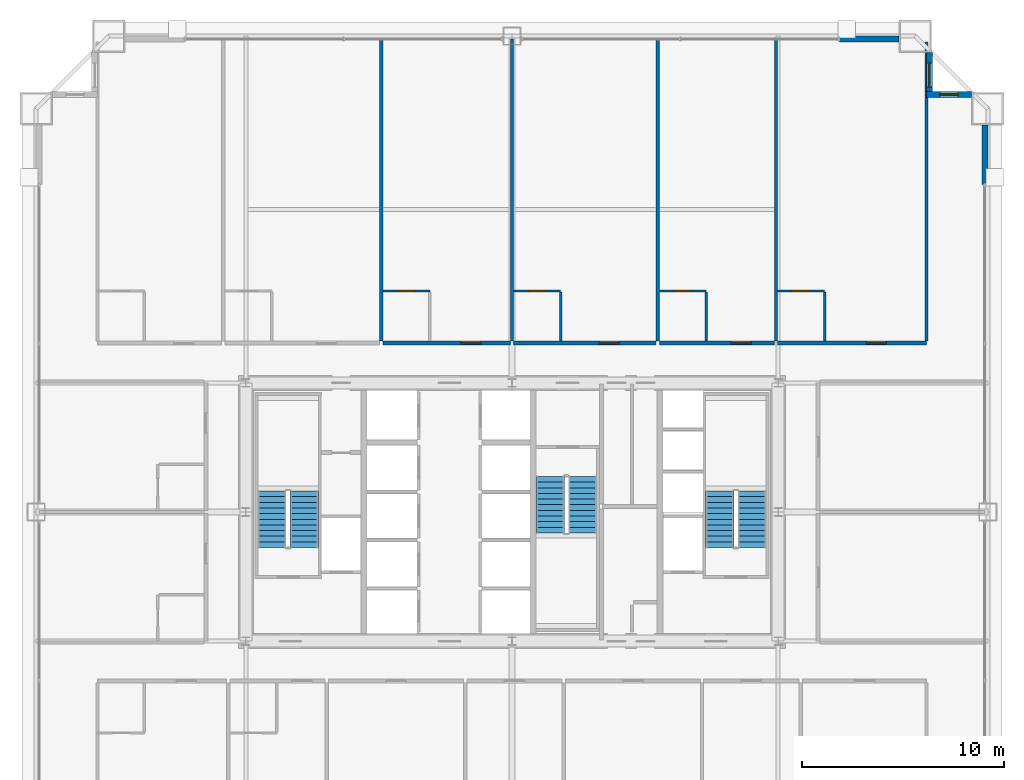
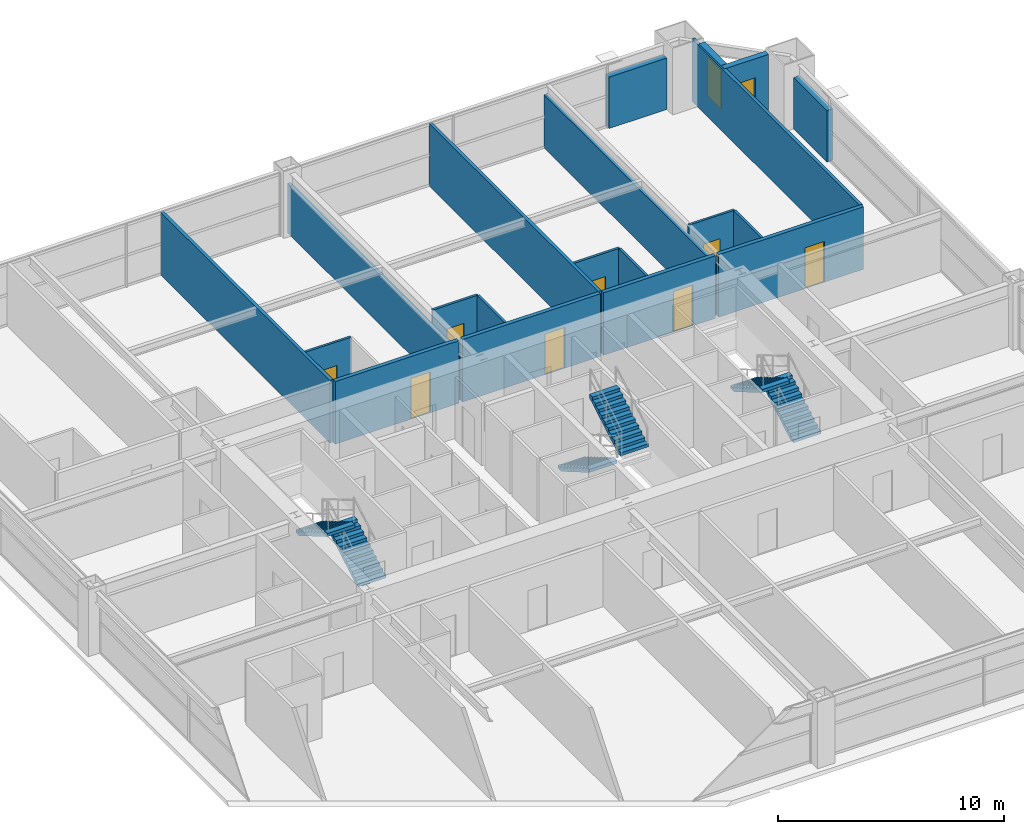
# One storey, part 38 of 39: 20 walls, 8 doors, 6 stair flights, 2 windows, 10 openings, 3 elements without a shape of their own.
"""IFC4 building model written with IfcOpenShell, lengths in metres."""

from ifc_helpers import new_model, si_unit, direction, frame, frame_2d, origin, place, context, subcontext, project, spatial, polyline, rectangle, outline, extrude, source, transform, mapped, material, layer, layer_set, type_object, element, fill, aggregate, save


model = new_model("IFC4")

# Units and contexts
model_context = context("Model", 3, precision=1e-05, world=origin(), true_north=direction((0.0, 1.0)))
body_context = subcontext(model_context, "Body", "Model", "MODEL_VIEW")
ifc_project = project(units=[si_unit("LENGTHUNIT", "METRE"), si_unit("AREAUNIT", "SQUARE_METRE"), si_unit("VOLUMEUNIT", "CUBIC_METRE"), si_unit("PLANEANGLEUNIT", "RADIAN"), si_unit("MASSUNIT", "GRAM", prefix="KILO"), si_unit("THERMODYNAMICTEMPERATUREUNIT", "KELVIN"), si_unit("POWERUNIT", "WATT")], contexts=[model_context])

# Site, building, storey
site_placement = place(None, origin())
site = spatial("IfcSite", under=ifc_project, at=site_placement, CompositionType="ELEMENT")
building_placement = place(site_placement, origin())
building = spatial("IfcBuilding", under=site, at=building_placement, Name="Yuzanri Waterfront Tower", CompositionType="ELEMENT")
storey_placement = place(building_placement, frame((0.0, 0.0, 156.0)))
storey = spatial("IfcBuildingStorey", under=building, at=storey_placement, Name="L41", CompositionType="ELEMENT", Elevation=156.0)

# Wall, opening, door
ifc_material_1 = material(Name="Moisture-Resistant Gypsum Stud Wall", Category="gypsum")
ifc_layer_1 = layer(ifc_material_1, 0.1201171875)
ifc_layer_set_1 = layer_set([ifc_layer_1], Name="Moisture-Resistant Gypsum Stud Wall")
wall_type_1 = type_object("IfcWallType", Name="Bathroom and Kitchen Wet Partition 120", PredefinedType="PARTITIONING", material=ifc_layer_set_1)
wall_1_placement = place(storey_placement, frame((30.596923828125, 36.760009765625, 0.0), z_axis=(0.0, 0.0, 1.0), x_axis=(1.0, 0.0, 0.0)))
wall_1 = element("IfcWall", 1, at=wall_1_placement, inside=storey, type_object=wall_type_1, Name="L41 Partition UW-L41-N3-BN", PredefinedType="PARTITIONING", context=body_context, shape_type="SweptSolid", body=[
    extrude(rectangle(XDim=2.330078125, YDim=0.1201171875, at=frame_2d((1.1650390625, 0.0))), origin(), (0.0, 0.0, 1.0), 3.3798828125),
])
opening_1_placement = place(wall_1_placement, frame((0.739990234375, 0.0, 0.0)))
opening_1 = element("IfcOpeningElement", 2, at=opening_1_placement, cuts=wall_1, Name="Opening ID-0850", PredefinedType="OPENING", context=body_context, shape_type="SweptSolid", body=[
    extrude(rectangle(XDim=0.85009765625, YDim=2.10009765625, at=frame_2d((0.425048828125, 1.050048828125))), frame((0.0, 0.074951171875, 0.0), z_axis=(0.0, -1.0, 0.0), x_axis=(1.0, 0.0, 0.0)), (0.0, 0.0, 1.0), 0.14990234375),
])
ifc_material_2 = material(Name="Moisture-Resistant Lacquered Timber", Category="wood")
door_type_1 = type_object("IfcDoorType", Name="En-Suite Bathroom and Kitchen Swing Door 850x2100", OperationType="NOTDEFINED", PredefinedType="DOOR", material=ifc_material_2)
shared_shape_1 = source(origin(), body_context, "Body", "SweptSolid", [
    extrude(rectangle(XDim=0.85009765625, YDim=2.10009765625, at=frame_2d((0.425048828125, 1.050048828125))), frame((0.0, 0.02490234375, 0.0), z_axis=(0.0, -1.0, 0.0), x_axis=(1.0, 0.0, 0.0)), (0.0, 0.0, 1.0), 0.050048828125),
])
door_1_placement = place(opening_1_placement, origin())
door_1 = element("IfcDoor", 3, at=door_1_placement, inside=storey, type_object=door_type_1, Name="L41 Guest En-Suite Door", OperationType="SINGLE_SWING_LEFT", OverallHeight=2.10009765625, OverallWidth=0.85009765625, PredefinedType="DOOR", context=body_context, shape_type="MappedRepresentation", body=[
    mapped(shared_shape_1, transform((0.0, 0.0, 0.0), scale=1.0)),
])
fill(opening_1, door_1)

wall_2_placement = place(storey_placement, frame((37.080078125, 36.760009765625, 0.0), z_axis=(0.0, 0.0, 1.0), x_axis=(1.0, 0.0, 0.0)))
wall_2 = element("IfcWall", 4, at=wall_2_placement, inside=storey, type_object=wall_type_1, Name="L41 Partition UW-L41-N4-BN", PredefinedType="PARTITIONING", context=body_context, shape_type="SweptSolid", body=[
    extrude(rectangle(XDim=2.329833984375, YDim=0.1201171875, at=frame_2d((1.1650390625, 0.0))), origin(), (0.0, 0.0, 1.0), 3.3798828125),
])
opening_2_placement = place(wall_2_placement, frame((0.739990234375, 0.0, 0.0)))
opening_2 = element("IfcOpeningElement", 5, at=opening_2_placement, cuts=wall_2, Name="Opening ID-0850", PredefinedType="OPENING", context=body_context, shape_type="SweptSolid", body=[
    extrude(rectangle(XDim=0.85009765625, YDim=2.10009765625, at=frame_2d((0.425048828125, 1.050048828125))), frame((0.0, 0.074951171875, 0.0), z_axis=(0.0, -1.0, 0.0), x_axis=(1.0, 0.0, 0.0)), (0.0, 0.0, 1.0), 0.14990234375),
])
door_2_placement = place(opening_2_placement, origin())
door_2 = element("IfcDoor", 6, at=door_2_placement, inside=storey, type_object=door_type_1, Name="L41 Guest En-Suite Door", OperationType="SINGLE_SWING_LEFT", OverallHeight=2.10009765625, OverallWidth=0.85009765625, PredefinedType="DOOR", context=body_context, shape_type="MappedRepresentation", body=[
    mapped(shared_shape_1, transform((0.0, 0.0, 0.0), scale=1.0)),
])
fill(opening_2, door_2)

wall_3_placement = place(storey_placement, frame((44.302978515625, 36.760009765625, 0.0), z_axis=(0.0, 0.0, 1.0), x_axis=(1.0, 0.0, 0.0)))
wall_3 = element("IfcWall", 7, at=wall_3_placement, inside=storey, type_object=wall_type_1, Name="L41 Partition UW-L41-N5-BN", PredefinedType="PARTITIONING", context=body_context, shape_type="SweptSolid", body=[
    extrude(rectangle(XDim=2.330078125, YDim=0.1201171875, at=frame_2d((1.1650390625, 0.0))), origin(), (0.0, 0.0, 1.0), 3.3798828125),
])
opening_3_placement = place(wall_3_placement, frame((0.739990234375, 0.0, 0.0)))
opening_3 = element("IfcOpeningElement", 8, at=opening_3_placement, cuts=wall_3, Name="Opening ID-0850", PredefinedType="OPENING", context=body_context, shape_type="SweptSolid", body=[
    extrude(rectangle(XDim=0.85009765625, YDim=2.10009765625, at=frame_2d((0.425048828125, 1.050048828125))), frame((0.0, 0.074951171875, 0.0), z_axis=(0.0, -1.0, 0.0), x_axis=(1.0, 0.0, 0.0)), (0.0, 0.0, 1.0), 0.14990234375),
])
door_3_placement = place(opening_3_placement, origin())
door_3 = element("IfcDoor", 9, at=door_3_placement, inside=storey, type_object=door_type_1, Name="L41 Guest En-Suite Door", OperationType="SINGLE_SWING_LEFT", OverallHeight=2.10009765625, OverallWidth=0.85009765625, PredefinedType="DOOR", context=body_context, shape_type="MappedRepresentation", body=[
    mapped(shared_shape_1, transform((0.0, 0.0, 0.0), scale=1.0)),
])
fill(opening_3, door_3)

wall_4_placement = place(storey_placement, frame((50.169921875, 36.760009765625, 0.0), z_axis=(0.0, 0.0, 1.0), x_axis=(1.0, 0.0, 0.0)))
wall_4 = element("IfcWall", 10, at=wall_4_placement, inside=storey, type_object=wall_type_1, Name="L41 Partition UW-L41-N6-BN", PredefinedType="PARTITIONING", context=body_context, shape_type="SweptSolid", body=[
    extrude(rectangle(XDim=2.330078125, YDim=0.1201171875, at=frame_2d((1.1650390625, 0.0))), origin(), (0.0, 0.0, 1.0), 3.3798828125),
])
opening_4_placement = place(wall_4_placement, frame((0.739990234375, 0.0, 0.0)))
opening_4 = element("IfcOpeningElement", 11, at=opening_4_placement, cuts=wall_4, Name="Opening ID-0850", PredefinedType="OPENING", context=body_context, shape_type="SweptSolid", body=[
    extrude(rectangle(XDim=0.85009765625, YDim=2.10009765625, at=frame_2d((0.425048828125, 1.050048828125))), frame((0.0, 0.074951171875, 0.0), z_axis=(0.0, -1.0, 0.0), x_axis=(1.0, 0.0, 0.0)), (0.0, 0.0, 1.0), 0.14990234375),
])
door_4_placement = place(opening_4_placement, origin())
door_4 = element("IfcDoor", 12, at=door_4_placement, inside=storey, type_object=door_type_1, Name="L41 Guest En-Suite Door", OperationType="SINGLE_SWING_LEFT", OverallHeight=2.10009765625, OverallWidth=0.85009765625, PredefinedType="DOOR", context=body_context, shape_type="MappedRepresentation", body=[
    mapped(shared_shape_1, transform((0.0, 0.0, 0.0), scale=1.0)),
])
fill(opening_4, door_4)

# Wall, opening, window
ifc_material_3 = material(Name="Honed Chongqing Dark Basalt Stone", Category="masonry")
ifc_layer_2 = layer(ifc_material_3, 0.300048828125)
ifc_layer_set_2 = layer_set([ifc_layer_2], Name="Honed Chongqing Dark Basalt Stone")
wall_type_2 = type_object("IfcWallType", Name="Bronze Rainscreen Insulated Spandrel Portal Wall 300", PredefinedType="SOLIDWALL", material=ifc_layer_set_2)
wall_5_placement = place(storey_placement, frame((59.800048828125, 46.5, 0.0), z_axis=(0.0, 0.0, 1.0), x_axis=(-1.0, 0.0, 0.0)))
wall_5 = element("IfcWall", 13, at=wall_5_placement, inside=storey, type_object=wall_type_2, Name="L41 Notched Corner Masonry Wall NE-X", PredefinedType="SOLIDWALL", context=body_context, shape_type="SweptSolid", body=[
    extrude(rectangle(XDim=2.25, YDim=0.300048828125, at=frame_2d((1.125, 0.0))), origin(), (0.0, 0.0, 1.0), 3.3798828125),
])
opening_5_placement = place(wall_5_placement, frame((0.675048828125, 0.0, 0.85009765625)))
opening_5 = element("IfcOpeningElement", 14, at=opening_5_placement, cuts=wall_5, Name="Opening WN-05", PredefinedType="OPENING", context=body_context, shape_type="SweptSolid", body=[
    extrude(rectangle(XDim=0.89990234375, YDim=1.5, at=frame_2d((0.449951171875, 0.75))), frame((0.0, 0.1650390625, 0.0), z_axis=(0.0, -1.0, 0.0), x_axis=(1.0, 0.0, 0.0)), (0.0, 0.0, 1.0), 0.329833984375),
])
ifc_material_4 = material(Name="Double-Silver Low-E Insulated Glass", Category="glass")
window_type_1 = type_object("IfcWindowType", Name="Anodized Bronze Service and Stairwell Smoke-Vent Window 900x1500", PartitioningType="SINGLE_PANEL", PredefinedType="WINDOW", material=ifc_material_4)
shared_shape_2 = source(origin(), body_context, "Body", "SweptSolid", [
    extrude(rectangle(XDim=0.89990234375, YDim=1.5, at=frame_2d((0.449951171875, 0.75))), frame((0.0, 0.030029296875, 0.0), z_axis=(0.0, -1.0, 0.0), x_axis=(1.0, 0.0, 0.0)), (0.0, 0.0, 1.0), 0.06005859375),
])
window_1_placement = place(opening_5_placement, origin())
window_1 = element("IfcWindow", 15, at=window_1_placement, inside=storey, type_object=window_type_1, Name="L41 Notched Corner Window NE-X", OverallHeight=1.5, OverallWidth=0.89990234375, PartitioningType="SINGLE_PANEL", PredefinedType="WINDOW", context=body_context, shape_type="MappedRepresentation", body=[
    mapped(shared_shape_2, transform((0.0, 0.0, 0.0), scale=1.0)),
])
fill(opening_5, window_1)

wall_6_placement = place(storey_placement, frame((57.699951171875, 46.35009765625, 0.0), z_axis=(0.0, 0.0, 1.0), x_axis=(0.0, 1.0, 0.0)))
wall_6 = element("IfcWall", 16, at=wall_6_placement, inside=storey, type_object=wall_type_2, Name="L41 Notched Corner Masonry Wall NE-Y", PredefinedType="SOLIDWALL", context=body_context, shape_type="SweptSolid", body=[
    extrude(rectangle(XDim=2.25, YDim=0.300048828125, at=frame_2d((1.125, 0.0))), origin(), (0.0, 0.0, 1.0), 3.3798828125),
])
opening_6_placement = place(wall_6_placement, frame((0.52490234375, 0.0, 0.85009765625)))
opening_6 = element("IfcOpeningElement", 17, at=opening_6_placement, cuts=wall_6, Name="Opening WN-02", PredefinedType="OPENING", context=body_context, shape_type="SweptSolid", body=[
    extrude(rectangle(XDim=1.199951171875, YDim=2.10009765625, at=frame_2d((0.60009765625, 1.050048828125))), frame((0.0, 0.1650390625, 0.0), z_axis=(0.0, -1.0, 0.0), x_axis=(1.0, 0.0, 0.0)), (0.0, 0.0, 1.0), 0.329833984375),
])
ifc_material_5 = material(Name="Double-Silver Low-E Insulated Glass", Category="glass")
window_type_2 = type_object("IfcWindowType", Name="Anodized Bronze Notched Corner Deep-Set Slot Window 1200x2100", PartitioningType="SINGLE_PANEL", PredefinedType="WINDOW", material=ifc_material_5)
shared_shape_3 = source(origin(), body_context, "Body", "SweptSolid", [
    extrude(rectangle(XDim=1.199951171875, YDim=2.10009765625, at=frame_2d((0.60009765625, 1.050048828125))), frame((0.0, 0.030029296875, 0.0), z_axis=(0.0, -1.0, 0.0), x_axis=(1.0, 0.0, 0.0)), (0.0, 0.0, 1.0), 0.06005859375),
])
window_2_placement = place(opening_6_placement, origin())
window_2 = element("IfcWindow", 18, at=window_2_placement, inside=storey, type_object=window_type_2, Name="L41 Notched Corner Window NE-Y", OverallHeight=2.10009765625, OverallWidth=1.199951171875, PartitioningType="SINGLE_PANEL", PredefinedType="WINDOW", context=body_context, shape_type="MappedRepresentation", body=[
    mapped(shared_shape_3, transform((0.0, 0.0, 0.0), scale=1.0)),
])
fill(opening_6, window_2)

# Wall, opening, door
ifc_material_6 = material(Name="Autoclaved Aerated Concrete Blockwork", Category="masonry")
ifc_layer_3 = layer(ifc_material_6, 0.199951171875)
ifc_layer_set_3 = layer_set([ifc_layer_3], Name="Autoclaved Aerated Concrete Blockwork")
wall_type_3 = type_object("IfcWallType", Name="Corridor and Unit Party Fire Wall 200", PredefinedType="PARTITIONING", material=ifc_layer_set_3)
wall_7_placement = place(storey_placement, frame((30.596923828125, 34.179931640625, 0.0), z_axis=(0.0, 0.0, 1.0), x_axis=(1.0, 0.0, 0.0)))
wall_7 = element("IfcWall", 19, at=wall_7_placement, inside=storey, type_object=wall_type_3, Name="L41 Partition UW-L41-N3-CS", PredefinedType="PARTITIONING", context=body_context, shape_type="SweptSolid", body=[
    extrude(rectangle(XDim=6.322998046875, YDim=0.199951171875, at=frame_2d((3.16162109375, 0.0))), origin(), (0.0, 0.0, 1.0), 3.3798828125),
])
opening_7_placement = place(wall_7_placement, frame((3.865966796875, 0.0, 0.0)))
opening_7 = element("IfcOpeningElement", 20, at=opening_7_placement, cuts=wall_7, Name="Opening FD-1000", PredefinedType="OPENING", context=body_context, shape_type="SweptSolid", body=[
    extrude(rectangle(XDim=1.0, YDim=2.199951171875, at=frame_2d((0.5, 1.10009765625))), frame((0.0, 0.11474609375, 0.0), z_axis=(0.0, -1.0, 0.0), x_axis=(1.0, 0.0, 0.0)), (0.0, 0.0, 1.0), 0.229736328125),
])
ifc_material_7 = material(Name="Engineered Oak Fire-Rated Timber", Category="wood")
door_type_2 = type_object("IfcDoorType", Name="Guestroom and Apartment Entrance Fire Door 1000x2200", OperationType="NOTDEFINED", PredefinedType="DOOR", material=ifc_material_7)
shared_shape_4 = source(origin(), body_context, "Body", "SweptSolid", [
    extrude(rectangle(XDim=1.0, YDim=2.199951171875, at=frame_2d((0.5, 1.10009765625))), frame((0.0, 0.02490234375, 0.0), z_axis=(0.0, -1.0, 0.0), x_axis=(1.0, 0.0, 0.0)), (0.0, 0.0, 1.0), 0.050048828125),
])
door_5_placement = place(opening_7_placement, origin())
door_5 = element("IfcDoor", 21, at=door_5_placement, inside=storey, type_object=door_type_2, Name="L41 Deluxe Queen Junior Suite Entrance Door", OperationType="SINGLE_SWING_RIGHT", OverallHeight=2.199951171875, OverallWidth=1.0, PredefinedType="DOOR", context=body_context, shape_type="MappedRepresentation", body=[
    mapped(shared_shape_4, transform((0.0, 0.0, 0.0), scale=1.0)),
])
fill(opening_7, door_5)

wall_8_placement = place(storey_placement, frame((37.080078125, 34.179931640625, 0.0), z_axis=(0.0, 0.0, 1.0), x_axis=(1.0, 0.0, 0.0)))
wall_8 = element("IfcWall", 22, at=wall_8_placement, inside=storey, type_object=wall_type_3, Name="L41 Partition UW-L41-N4-CS", PredefinedType="PARTITIONING", context=body_context, shape_type="SweptSolid", body=[
    extrude(rectangle(XDim=7.06298828125, YDim=0.199951171875, at=frame_2d((3.531494140625, 0.0))), origin(), (0.0, 0.0, 1.0), 3.3798828125),
])
opening_8_placement = place(wall_8_placement, frame((4.236083984375, 0.0, 0.0)))
opening_8 = element("IfcOpeningElement", 23, at=opening_8_placement, cuts=wall_8, Name="Opening FD-1000", PredefinedType="OPENING", context=body_context, shape_type="SweptSolid", body=[
    extrude(rectangle(XDim=1.0, YDim=2.199951171875, at=frame_2d((0.5, 1.10009765625))), frame((0.0, 0.11474609375, 0.0), z_axis=(0.0, -1.0, 0.0), x_axis=(1.0, 0.0, 0.0)), (0.0, 0.0, 1.0), 0.229736328125),
])
door_6_placement = place(opening_8_placement, origin())
door_6 = element("IfcDoor", 24, at=door_6_placement, inside=storey, type_object=door_type_2, Name="L41 Deluxe Queen Junior Suite Entrance Door", OperationType="SINGLE_SWING_RIGHT", OverallHeight=2.199951171875, OverallWidth=1.0, PredefinedType="DOOR", context=body_context, shape_type="MappedRepresentation", body=[
    mapped(shared_shape_4, transform((0.0, 0.0, 0.0), scale=1.0)),
])
fill(opening_8, door_6)

wall_9_placement = place(storey_placement, frame((44.302978515625, 34.179931640625, 0.0), z_axis=(0.0, 0.0, 1.0), x_axis=(1.0, 0.0, 0.0)))
wall_9 = element("IfcWall", 25, at=wall_9_placement, inside=storey, type_object=wall_type_3, Name="L41 Partition UW-L41-N5-CS", PredefinedType="PARTITIONING", context=body_context, shape_type="SweptSolid", body=[
    extrude(rectangle(XDim=5.70703125, YDim=0.199951171875, at=frame_2d((2.853515625, 0.0))), origin(), (0.0, 0.0, 1.0), 3.3798828125),
])
opening_9_placement = place(wall_9_placement, frame((3.55810546875, 0.0, 0.0)))
opening_9 = element("IfcOpeningElement", 26, at=opening_9_placement, cuts=wall_9, Name="Opening FD-1000", PredefinedType="OPENING", context=body_context, shape_type="SweptSolid", body=[
    extrude(rectangle(XDim=1.0, YDim=2.199951171875, at=frame_2d((0.5, 1.10009765625))), frame((0.0, 0.11474609375, 0.0), z_axis=(0.0, -1.0, 0.0), x_axis=(1.0, 0.0, 0.0)), (0.0, 0.0, 1.0), 0.229736328125),
])
door_7_placement = place(opening_9_placement, origin())
door_7 = element("IfcDoor", 27, at=door_7_placement, inside=storey, type_object=door_type_2, Name="L41 Deluxe Queen Junior Suite Entrance Door", OperationType="SINGLE_SWING_RIGHT", OverallHeight=2.199951171875, OverallWidth=1.0, PredefinedType="DOOR", context=body_context, shape_type="MappedRepresentation", body=[
    mapped(shared_shape_4, transform((0.0, 0.0, 0.0), scale=1.0)),
])
fill(opening_9, door_7)

wall_10_placement = place(storey_placement, frame((50.169921875, 34.179931640625, 0.0), z_axis=(0.0, 0.0, 1.0), x_axis=(1.0, 0.0, 0.0)))
wall_10 = element("IfcWall", 28, at=wall_10_placement, inside=storey, type_object=wall_type_3, Name="L41 Partition UW-L41-N6-CS", PredefinedType="PARTITIONING", context=body_context, shape_type="SweptSolid", body=[
    extrude(rectangle(XDim=7.39013671875, YDim=0.199951171875, at=frame_2d((3.695068359375, 0.0))), origin(), (0.0, 0.0, 1.0), 3.3798828125),
])
opening_10_placement = place(wall_10_placement, frame((4.39990234375, 0.0, 0.0)))
opening_10 = element("IfcOpeningElement", 29, at=opening_10_placement, cuts=wall_10, Name="Opening FD-1000", PredefinedType="OPENING", context=body_context, shape_type="SweptSolid", body=[
    extrude(rectangle(XDim=1.0, YDim=2.199951171875, at=frame_2d((0.5, 1.10009765625))), frame((0.0, 0.11474609375, 0.0), z_axis=(0.0, -1.0, 0.0), x_axis=(1.0, 0.0, 0.0)), (0.0, 0.0, 1.0), 0.229736328125),
])
door_8_placement = place(opening_10_placement, origin())
door_8 = element("IfcDoor", 30, at=door_8_placement, inside=storey, type_object=door_type_2, Name="L41 Deluxe Queen Junior Suite Entrance Door", OperationType="SINGLE_SWING_RIGHT", OverallHeight=2.199951171875, OverallWidth=1.0, PredefinedType="DOOR", context=body_context, shape_type="MappedRepresentation", body=[
    mapped(shared_shape_4, transform((0.0, 0.0, 0.0), scale=1.0)),
])
fill(opening_10, door_8)

# Walls
shared_shape_5 = source(origin(), body_context, "Body", "SweptSolid", [
    extrude(rectangle(XDim=2.949951171875, YDim=0.300048828125, at=frame_2d((1.47509765625, 0.0))), origin(), (0.0, 0.0, 1.0), 2.77490234375),
])
for number, where, z_axis, x_axis, name in (
    (31, (53.25, 49.25, 0.0), (0.0, 0.0, 1.0), (1.0, 0.0, 0.0), "L41 N Right Braced Masonry Shoulder"),
    (32, (60.449951171875, 42.050048828125, 0.0), (0.0, 0.0, 1.0), (0.0, 1.0, 0.0), "L41 E Right Braced Masonry Shoulder"),
):
    element("IfcWall", number, at=place(storey_placement, frame(where, z_axis=z_axis, x_axis=x_axis)), inside=storey, type_object=wall_type_2, Name=name, PredefinedType="SOLIDWALL", context=body_context, shape_type="MappedRepresentation", body=[
        mapped(shared_shape_5, transform((0.0, 0.0, 0.0), scale=1.0)),
    ])
shared_shape_6 = source(origin(), body_context, "Body", "SweptSolid", [
    extrude(rectangle(XDim=2.419921875, YDim=0.1201171875, at=frame_2d((1.2099609375, 0.0))), origin(), (0.0, 0.0, 1.0), 3.3798828125),
])
for number, where, z_axis, x_axis, name in (
    (33, (39.409912109375, 34.280029296875, 0.0), (0.0, 0.0, 1.0), (0.0, 1.0, 0.0), "L41-N4 En-Suite Side Wall"),
    (34, (46.633056640625, 34.280029296875, 0.0), (0.0, 0.0, 1.0), (0.0, 1.0, 0.0), "L41-N5 En-Suite Side Wall"),
    (35, (52.5, 34.280029296875, 0.0), (0.0, 0.0, 1.0), (0.0, 1.0, 0.0), "L41-N6 En-Suite Side Wall"),
):
    element("IfcWall", number, at=place(storey_placement, frame(where, z_axis=z_axis, x_axis=x_axis)), inside=storey, type_object=wall_type_1, Name=name, PredefinedType="PARTITIONING", context=body_context, shape_type="MappedRepresentation", body=[
        mapped(shared_shape_6, transform((0.0, 0.0, 0.0), scale=1.0)),
    ])
ifc_material_8 = material(Name="Gypsum Fireboard Acoustic Stud Wall", Category="gypsum")
ifc_layer_4 = layer(ifc_material_8, 0.159912109375)
ifc_layer_set_4 = layer_set([ifc_layer_4], Name="Gypsum Fireboard Acoustic Stud Wall")
wall_type_4 = type_object("IfcWallType", Name="Acoustic Suite Demising Partition 160", PredefinedType="PARTITIONING", material=ifc_layer_set_4)
shared_shape_7 = source(origin(), body_context, "Body", "SweptSolid", [
    extrude(rectangle(XDim=14.969970703125, YDim=0.159912109375, at=frame_2d((7.48486328125, 0.0))), origin(), (0.0, 0.0, 1.0), 3.3798828125),
])
for number, where, z_axis, x_axis, name in (
    (36, (30.51708984375, 34.280029296875, 0.0), (0.0, 0.0, 1.0), (0.0, 1.0, 0.0), "L41-N2 Party Wall"),
    (37, (44.222900390625, 34.280029296875, 0.0), (0.0, 0.0, 1.0), (0.0, 1.0, 0.0), "L41-N4 Party Wall"),
):
    element("IfcWall", number, at=place(storey_placement, frame(where, z_axis=z_axis, x_axis=x_axis)), inside=storey, type_object=wall_type_4, Name=name, PredefinedType="PARTITIONING", context=body_context, shape_type="MappedRepresentation", body=[
        mapped(shared_shape_7, transform((0.0, 0.0, 0.0), scale=1.0)),
    ])
shared_shape_8 = source(origin(), body_context, "Body", "SweptSolid", [
    extrude(rectangle(XDim=14.820068359375, YDim=0.159912109375, at=frame_2d((7.41015625, 0.0))), origin(), (0.0, 0.0, 1.0), 3.3798828125),
])
wall_11_placement = place(storey_placement, frame((57.550048828125, 34.280029296875, 0.0), z_axis=(0.0, 0.0, 1.0), x_axis=(0.0, 1.0, 0.0)))
element("IfcWall", 38, at=wall_11_placement, inside=storey, type_object=wall_type_4, Name="L41 North Band East End Wall", PredefinedType="PARTITIONING", context=body_context, shape_type="MappedRepresentation", body=[
    mapped(shared_shape_8, transform((0.0, 0.0, 0.0), scale=1.0)),
])
shared_shape_9 = source(origin(), body_context, "Body", "SweptSolid", [
    extrude(rectangle(XDim=14.969970703125, YDim=0.159912109375, at=frame_2d((7.48486328125, 0.0))), origin(), (0.0, 0.0, 1.0), 2.675048828125),
])
wall_12_placement = place(storey_placement, frame((37.0, 34.280029296875, 0.0), z_axis=(0.0, 0.0, 1.0), x_axis=(0.0, 1.0, 0.0)))
element("IfcWall", 39, at=wall_12_placement, inside=storey, type_object=wall_type_4, Name="L41-N3 Party Wall", PredefinedType="PARTITIONING", context=body_context, shape_type="MappedRepresentation", body=[
    mapped(shared_shape_9, transform((0.0, 0.0, 0.0), scale=1.0)),
])
shared_shape_10 = source(origin(), body_context, "Body", "SweptSolid", [
    extrude(rectangle(XDim=14.969970703125, YDim=0.159912109375, at=frame_2d((7.48486328125, 0.0))), origin(), (0.0, 0.0, 1.0), 2.875),
])
wall_13_placement = place(storey_placement, frame((50.090087890625, 34.280029296875, 0.0), z_axis=(0.0, 0.0, 1.0), x_axis=(0.0, 1.0, 0.0)))
element("IfcWall", 40, at=wall_13_placement, inside=storey, type_object=wall_type_4, Name="L41-N5 Party Wall", PredefinedType="PARTITIONING", context=body_context, shape_type="MappedRepresentation", body=[
    mapped(shared_shape_10, transform((0.0, 0.0, 0.0), scale=1.0)),
])

# Stair, stair flights
ifc_material_9 = material(Name="Concrete C40", Category="concrete")
stair_type = type_object("IfcStairType", Name="Concrete C40 Core Dogleg Exit Stair", PredefinedType="HALF_TURN_STAIR", material=ifc_material_9)
stair_1_placement = place(storey_placement, origin())
stair_1 = element("IfcStair", 41, at=stair_1_placement, inside=storey, type_object=stair_type, Name="L41 Smoke-Proof Core Stair ST-01", PredefinedType="HALF_TURN_STAIR")
ifc_material_10 = material(Name="Concrete C40", Category="concrete")
stair_flight_type = type_object("IfcStairFlightType", Name="Concrete C40 Precast Stair Flight 1380", PredefinedType="STRAIGHT", material=ifc_material_10)
shared_shape_11 = source(origin(), body_context, "Body", "SweptSolid", [
    extrude(outline(polyline([(0.0, 0.0), (0.0, 0.16357421875), (0.280029296875, 0.16357421875), (0.280029296875, 0.327392578125), (0.56005859375, 0.327392578125), (0.56005859375, 0.490966796875), (0.840087890625, 0.490966796875), (0.840087890625, 0.654541015625), (1.1201171875, 0.654541015625), (1.1201171875, 0.818115234375), (1.39990234375, 0.818115234375), (1.39990234375, 0.98193359375), (1.679931640625, 0.98193359375), (1.679931640625, 1.1455078125), (1.9599609375, 1.1455078125), (1.9599609375, 1.30908203125), (2.239990234375, 1.30908203125), (2.239990234375, 1.47265625), (2.52001953125, 1.47265625), (2.52001953125, 1.636474609375), (2.800048828125, 1.636474609375), (2.800048828125, 1.800048828125), (2.800048828125, 1.462646484375), (0.297119140625, 0.0), (0.0, 0.0)])), frame((0.0, 0.699951171875, 0.0), z_axis=(0.0, -1.0, 0.0), x_axis=(1.0, 0.0, 0.0)), (0.0, 0.0, 1.0), 1.39990234375),
])
stair_flight_1_placement = place(storey_placement, frame((26.699951171875, 24.0400390625, 0.0), z_axis=(0.0, 0.0, 1.0), x_axis=(0.0, 1.0, 0.0)))
stair_flight_1 = element("IfcStairFlight", 42, at=stair_flight_1_placement, type_object=stair_flight_type, Name="ST-01 flight 1", NumberOfRisers=11, NumberOfTreads=10, PredefinedType="STRAIGHT", RiserHeight=0.163636364, TreadLength=0.28, context=body_context, shape_type="MappedRepresentation", body=[
    mapped(shared_shape_11, transform((0.0, 0.0, 0.0), scale=1.0)),
])
stair_flight_2_placement = place(storey_placement, frame((25.10009765625, 26.840087890625, 1.800048828125), z_axis=(0.0, 0.0, 1.0), x_axis=(0.0, -1.0, 0.0)))
stair_flight_2 = element("IfcStairFlight", 43, at=stair_flight_2_placement, type_object=stair_flight_type, Name="ST-01 flight 2", NumberOfRisers=11, NumberOfTreads=10, PredefinedType="STRAIGHT", RiserHeight=0.163636364, TreadLength=0.28, context=body_context, shape_type="MappedRepresentation", body=[
    mapped(shared_shape_11, transform((0.0, 0.0, 0.0), scale=1.0)),
])
aggregate(stair_1, [stair_flight_1, stair_flight_2])

stair_2_placement = place(storey_placement, origin())
stair_2 = element("IfcStair", 44, at=stair_2_placement, inside=storey, type_object=stair_type, Name="L41 Smoke-Proof Core Stair ST-02", PredefinedType="HALF_TURN_STAIR")
stair_flight_3_placement = place(storey_placement, frame((48.89990234375, 24.0400390625, 0.0), z_axis=(0.0, 0.0, 1.0), x_axis=(0.0, 1.0, 0.0)))
stair_flight_3 = element("IfcStairFlight", 45, at=stair_flight_3_placement, type_object=stair_flight_type, Name="ST-02 flight 1", NumberOfRisers=11, NumberOfTreads=10, PredefinedType="STRAIGHT", RiserHeight=0.163636364, TreadLength=0.28, context=body_context, shape_type="MappedRepresentation", body=[
    mapped(shared_shape_11, transform((0.0, 0.0, 0.0), scale=1.0)),
])
stair_flight_4_placement = place(storey_placement, frame((47.300048828125, 26.840087890625, 1.800048828125), z_axis=(0.0, 0.0, 1.0), x_axis=(0.0, -1.0, 0.0)))
stair_flight_4 = element("IfcStairFlight", 46, at=stair_flight_4_placement, type_object=stair_flight_type, Name="ST-02 flight 2", NumberOfRisers=11, NumberOfTreads=10, PredefinedType="STRAIGHT", RiserHeight=0.163636364, TreadLength=0.28, context=body_context, shape_type="MappedRepresentation", body=[
    mapped(shared_shape_11, transform((0.0, 0.0, 0.0), scale=1.0)),
])
aggregate(stair_2, [stair_flight_3, stair_flight_4])

stair_3_placement = place(storey_placement, origin())
stair_3 = element("IfcStair", 47, at=stair_3_placement, inside=storey, type_object=stair_type, Name="L41 Smoke-Proof Core Stair ST-03", PredefinedType="HALF_TURN_STAIR")
stair_flight_5_placement = place(storey_placement, frame((38.89990234375, 27.56005859375, 0.0), z_axis=(0.0, 0.0, 1.0), x_axis=(0.0, -1.0, 0.0)))
stair_flight_5 = element("IfcStairFlight", 48, at=stair_flight_5_placement, type_object=stair_flight_type, Name="ST-03 flight 1", NumberOfRisers=11, NumberOfTreads=10, PredefinedType="STRAIGHT", RiserHeight=0.163636364, TreadLength=0.28, context=body_context, shape_type="MappedRepresentation", body=[
    mapped(shared_shape_11, transform((0.0, 0.0, 0.0), scale=1.0)),
])
stair_flight_6_placement = place(storey_placement, frame((40.5, 24.760009765625, 1.800048828125), z_axis=(0.0, 0.0, 1.0), x_axis=(0.0, 1.0, 0.0)))
stair_flight_6 = element("IfcStairFlight", 49, at=stair_flight_6_placement, type_object=stair_flight_type, Name="ST-03 flight 2", NumberOfRisers=11, NumberOfTreads=10, PredefinedType="STRAIGHT", RiserHeight=0.163636364, TreadLength=0.28, context=body_context, shape_type="MappedRepresentation", body=[
    mapped(shared_shape_11, transform((0.0, 0.0, 0.0), scale=1.0)),
])
aggregate(stair_3, [stair_flight_5, stair_flight_6])

save(model, "model.ifc")
